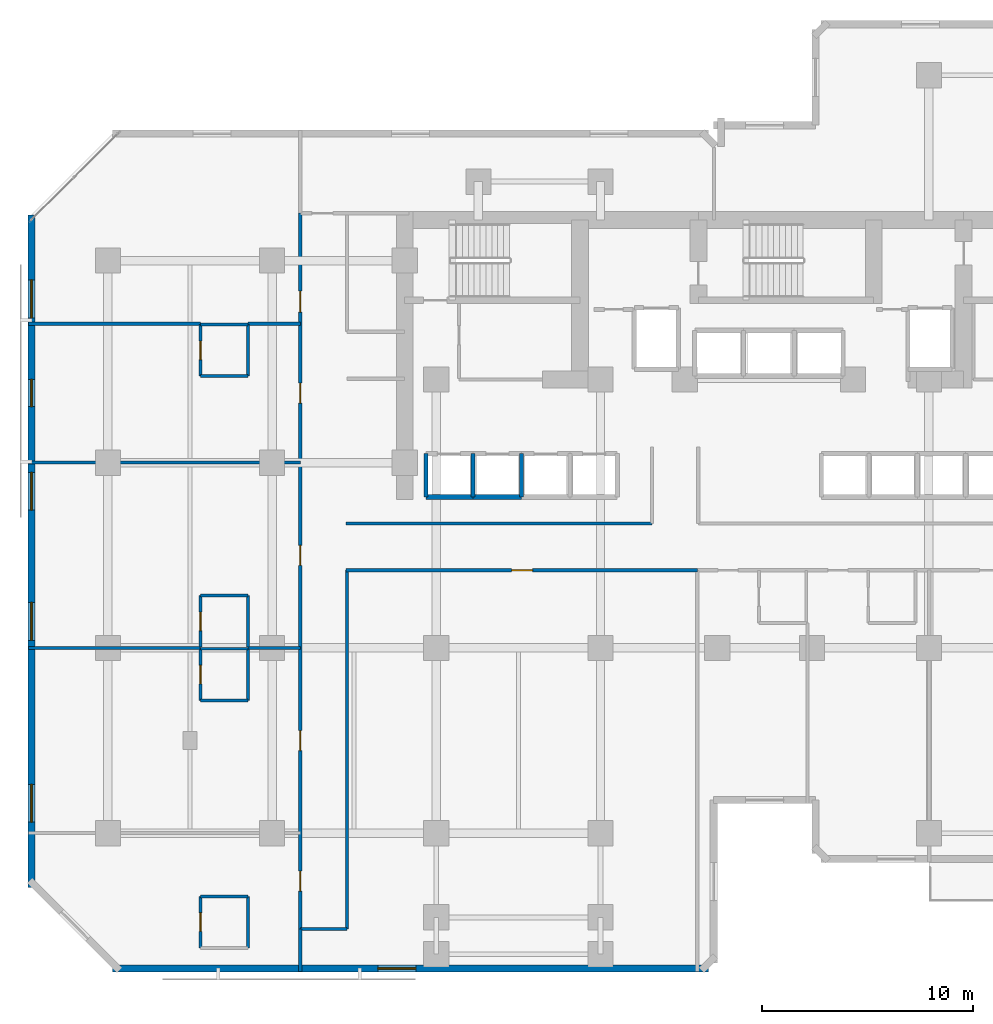
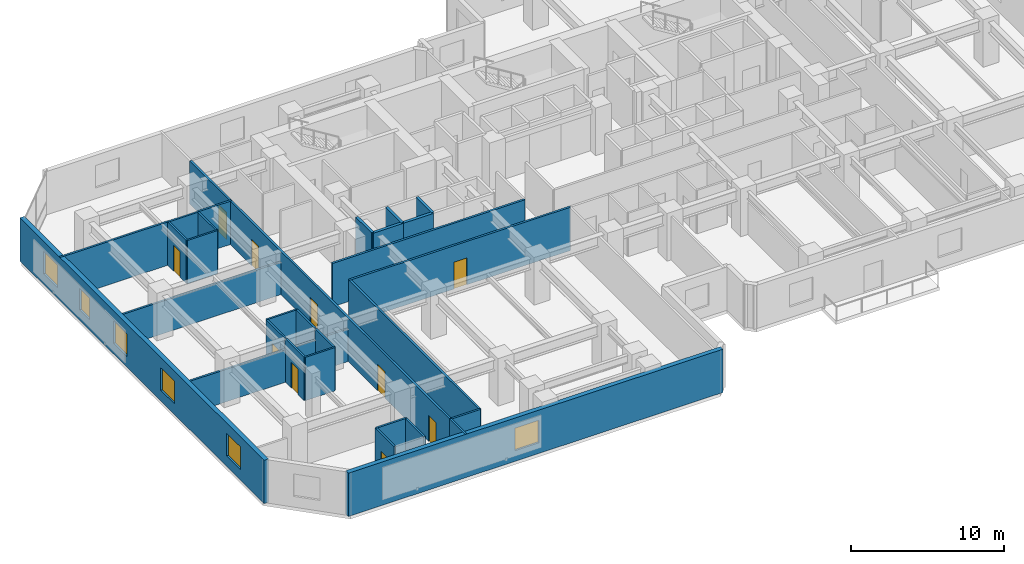
# One storey, part 5 of 11: 32 walls, 10 doors, 6 windows, 16 openings.
"""IFC4 building model written with IfcOpenShell, lengths in metres."""

from ifc_helpers import new_model, si_unit, direction, frame, frame_2d, origin, place, context, subcontext, project, spatial, rectangle, extrude, material, layer, layer_set, type_object, element, fill, save


model = new_model("IFC4")

# Units and contexts
model_context = context("Model", 3, precision=1e-05, world=origin(), true_north=direction((0.0, 1.0)))
body_context = subcontext(model_context, "Body", "Model", "MODEL_VIEW")
ifc_project = project(units=[si_unit("LENGTHUNIT", "METRE"), si_unit("AREAUNIT", "SQUARE_METRE"), si_unit("VOLUMEUNIT", "CUBIC_METRE"), si_unit("PLANEANGLEUNIT", "RADIAN"), si_unit("MASSUNIT", "GRAM", prefix="KILO")], contexts=[model_context])

# Site, building, storey
site_placement = place(None, origin())
site = spatial("IfcSite", under=ifc_project, at=site_placement, CompositionType="ELEMENT")
building_placement = place(site_placement, origin())
building = spatial("IfcBuilding", under=site, at=building_placement, Name="Kestravale Grand Hotel", CompositionType="ELEMENT")
storey_placement = place(building_placement, frame((0.0, 0.0, 126.0)))
storey = spatial("IfcBuildingStorey", under=building, at=storey_placement, Name="L31", CompositionType="ELEMENT", Elevation=126.0)

# Wall, opening, window
ifc_material_1 = material(Name="Precast concrete f'c 45 MPa", Category="concrete")
ifc_layer_1 = layer(ifc_material_1, 0.340087890625)
ifc_layer_set_1 = layer_set([ifc_layer_1], Name="EW-PREC-340")
wall_type_1 = type_object("IfcWallType", Name="EW-PREC-340", PredefinedType="SOLIDWALL", material=ifc_layer_set_1)
wall_1_placement = place(storey_placement, frame((8.030029296875, 4.77001953125, 0.0), z_axis=(0.0, 0.0, 1.0), x_axis=(1.0, 0.0, 0.0)))
wall_1 = element("IfcWall", 1, at=wall_1_placement, inside=storey, type_object=wall_type_1, Name="L31 fluted precast facade wall 1", PredefinedType="SOLIDWALL", context=body_context, shape_type="SweptSolid", body=[
    extrude(rectangle(XDim=28.2900390625, YDim=0.340087890625, at=frame_2d((14.14501953125, 0.0))), origin(), (0.0, 0.0, 1.0), 3.4599609375),
])
opening_1_placement = place(wall_1_placement, frame((12.594970703125, 0.0, 0.85009765625)))
opening_1 = element("IfcOpeningElement", 2, at=opening_1_placement, cuts=wall_1, Name="Opening W-GUEST-1800", PredefinedType="OPENING", context=body_context, shape_type="SweptSolid", body=[
    extrude(rectangle(XDim=1.800048828125, YDim=1.800048828125, at=frame_2d((0.89990234375, 0.89990234375))), frame((0.0, 0.179931640625, 0.0), z_axis=(0.0, -1.0, 0.0), x_axis=(1.0, 0.0, 0.0)), (0.0, 0.0, 1.0), 0.360107421875),
])
ifc_material_2 = material(Name="Insulated low-E double glazing in aluminium frame", Category="aluminium")
window_type_1 = type_object("IfcWindowType", Name="W-GUEST-1800", PartitioningType="DOUBLE_PANEL_VERTICAL", PredefinedType="WINDOW", material=ifc_material_2)
window_1_placement = place(opening_1_placement, origin())
window_1 = element("IfcWindow", 3, at=window_1_placement, inside=storey, type_object=window_type_1, Name="L31 exterior window 1.1", OverallHeight=1.800048828125, OverallWidth=1.800048828125, PartitioningType="SINGLE_PANEL", PredefinedType="WINDOW", context=body_context, shape_type="SweptSolid", body=[
    extrude(rectangle(XDim=1.800048828125, YDim=1.800048828125, at=frame_2d((0.89990234375, 0.89990234375))), frame((0.0, 0.030029296875, 0.0), z_axis=(0.0, -1.0, 0.0), x_axis=(1.0, 0.0, 0.0)), (0.0, 0.0, 1.0), 0.06005859375),
])
fill(opening_1, window_1)

# Wall, openings, windows
wall_2_placement = place(storey_placement, frame((4.169921875, 40.570068359375, 0.0), z_axis=(0.0, 0.0, 1.0), x_axis=(0.0, -1.0, 0.0)))
wall_2 = element("IfcWall", 4, at=wall_2_placement, inside=storey, type_object=wall_type_1, Name="L31 fluted precast facade wall 19", PredefinedType="SOLIDWALL", context=body_context, shape_type="SweptSolid", body=[
    extrude(rectangle(XDim=31.940185546875, YDim=0.340087890625, at=frame_2d((15.97021484375, 0.0))), origin(), (0.0, 0.0, 1.0), 3.4599609375),
])
opening_2_placement = place(wall_2_placement, frame((3.092529296875, 0.0, 0.85009765625)))
opening_2 = element("IfcOpeningElement", 5, at=opening_2_placement, cuts=wall_2, Name="Opening W-GUEST-1800", PredefinedType="OPENING", context=body_context, shape_type="SweptSolid", body=[
    extrude(rectangle(XDim=1.800048828125, YDim=1.800048828125, at=frame_2d((0.89990234375, 0.89990234375))), frame((0.0, 0.179931640625, 0.0), z_axis=(0.0, -1.0, 0.0), x_axis=(1.0, 0.0, 0.0)), (0.0, 0.0, 1.0), 0.360107421875),
])
opening_3_placement = place(wall_2_placement, frame((12.2275390625, 0.0, 0.85009765625)))
opening_3 = element("IfcOpeningElement", 6, at=opening_3_placement, cuts=wall_2, Name="Opening W-GUEST-1800", PredefinedType="OPENING", context=body_context, shape_type="SweptSolid", body=[
    extrude(rectangle(XDim=1.800048828125, YDim=1.800048828125, at=frame_2d((0.89990234375, 0.89990234375))), frame((0.0, 0.179931640625, 0.0), z_axis=(0.0, -1.0, 0.0), x_axis=(1.0, 0.0, 0.0)), (0.0, 0.0, 1.0), 0.360107421875),
])
opening_4_placement = place(wall_2_placement, frame((18.41259765625, 0.0, 0.85009765625)))
opening_4 = element("IfcOpeningElement", 7, at=opening_4_placement, cuts=wall_2, Name="Opening W-GUEST-1800", PredefinedType="OPENING", context=body_context, shape_type="SweptSolid", body=[
    extrude(rectangle(XDim=1.800048828125, YDim=1.800048828125, at=frame_2d((0.89990234375, 0.89990234375))), frame((0.0, 0.179931640625, 0.0), z_axis=(0.0, -1.0, 0.0), x_axis=(1.0, 0.0, 0.0)), (0.0, 0.0, 1.0), 0.360107421875),
])
opening_5_placement = place(wall_2_placement, frame((27.047607421875, 0.0, 0.85009765625)))
opening_5 = element("IfcOpeningElement", 8, at=opening_5_placement, cuts=wall_2, Name="Opening W-GUEST-1800", PredefinedType="OPENING", context=body_context, shape_type="SweptSolid", body=[
    extrude(rectangle(XDim=1.800048828125, YDim=1.800048828125, at=frame_2d((0.89990234375, 0.89990234375))), frame((0.0, 0.179931640625, 0.0), z_axis=(0.0, -1.0, 0.0), x_axis=(1.0, 0.0, 0.0)), (0.0, 0.0, 1.0), 0.360107421875),
])
opening_6_placement = place(wall_2_placement, frame((7.81005859375, 0.0, 0.85009765625)))
opening_6 = element("IfcOpeningElement", 9, at=opening_6_placement, cuts=wall_2, Name="Opening W-GUEST-1300", PredefinedType="OPENING", context=body_context, shape_type="SweptSolid", body=[
    extrude(rectangle(XDim=1.300048828125, YDim=1.699951171875, at=frame_2d((0.64990234375, 0.85009765625))), frame((0.0, 0.179931640625, 0.0), z_axis=(0.0, -1.0, 0.0), x_axis=(1.0, 0.0, 0.0)), (0.0, 0.0, 1.0), 0.360107421875),
])
ifc_material_3 = material(Name="Insulated low-E double glazing in aluminium frame", Category="aluminium")
window_type_2 = type_object("IfcWindowType", Name="W-GUEST-1300", PartitioningType="SINGLE_PANEL", PredefinedType="WINDOW", material=ifc_material_3)
window_2_placement = place(opening_6_placement, origin())
window_2 = element("IfcWindow", 10, at=window_2_placement, inside=storey, type_object=window_type_2, Name="L31 guestroom envelope window 1", OverallHeight=1.699951171875, OverallWidth=1.300048828125, PartitioningType="SINGLE_PANEL", PredefinedType="WINDOW", context=body_context, shape_type="SweptSolid", body=[
    extrude(rectangle(XDim=1.300048828125, YDim=1.699951171875, at=frame_2d((0.64990234375, 0.85009765625))), frame((0.0, 0.030029296875, 0.0), z_axis=(0.0, -1.0, 0.0), x_axis=(1.0, 0.0, 0.0)), (0.0, 0.0, 1.0), 0.06005859375),
])
fill(opening_6, window_2)
window_3_placement = place(opening_2_placement, origin())
window_3 = element("IfcWindow", 11, at=window_3_placement, inside=storey, type_object=window_type_1, Name="L31 exterior window 19.1", OverallHeight=1.800048828125, OverallWidth=1.800048828125, PartitioningType="SINGLE_PANEL", PredefinedType="WINDOW", context=body_context, shape_type="SweptSolid", body=[
    extrude(rectangle(XDim=1.800048828125, YDim=1.800048828125, at=frame_2d((0.89990234375, 0.89990234375))), frame((0.0, 0.030029296875, 0.0), z_axis=(0.0, -1.0, 0.0), x_axis=(1.0, 0.0, 0.0)), (0.0, 0.0, 1.0), 0.06005859375),
])
fill(opening_2, window_3)
window_4_placement = place(opening_3_placement, origin())
window_4 = element("IfcWindow", 12, at=window_4_placement, inside=storey, type_object=window_type_1, Name="L31 exterior window 19.2", OverallHeight=1.800048828125, OverallWidth=1.800048828125, PartitioningType="SINGLE_PANEL", PredefinedType="WINDOW", context=body_context, shape_type="SweptSolid", body=[
    extrude(rectangle(XDim=1.800048828125, YDim=1.800048828125, at=frame_2d((0.89990234375, 0.89990234375))), frame((0.0, 0.030029296875, 0.0), z_axis=(0.0, -1.0, 0.0), x_axis=(1.0, 0.0, 0.0)), (0.0, 0.0, 1.0), 0.06005859375),
])
fill(opening_3, window_4)
window_5_placement = place(opening_4_placement, origin())
window_5 = element("IfcWindow", 13, at=window_5_placement, inside=storey, type_object=window_type_1, Name="L31 exterior window 19.3", OverallHeight=1.800048828125, OverallWidth=1.800048828125, PartitioningType="SINGLE_PANEL", PredefinedType="WINDOW", context=body_context, shape_type="SweptSolid", body=[
    extrude(rectangle(XDim=1.800048828125, YDim=1.800048828125, at=frame_2d((0.89990234375, 0.89990234375))), frame((0.0, 0.030029296875, 0.0), z_axis=(0.0, -1.0, 0.0), x_axis=(1.0, 0.0, 0.0)), (0.0, 0.0, 1.0), 0.06005859375),
])
fill(opening_4, window_5)
window_6_placement = place(opening_5_placement, origin())
window_6 = element("IfcWindow", 14, at=window_6_placement, inside=storey, type_object=window_type_1, Name="L31 exterior window 19.4", OverallHeight=1.800048828125, OverallWidth=1.800048828125, PartitioningType="SINGLE_PANEL", PredefinedType="WINDOW", context=body_context, shape_type="SweptSolid", body=[
    extrude(rectangle(XDim=1.800048828125, YDim=1.800048828125, at=frame_2d((0.89990234375, 0.89990234375))), frame((0.0, 0.030029296875, 0.0), z_axis=(0.0, -1.0, 0.0), x_axis=(1.0, 0.0, 0.0)), (0.0, 0.0, 1.0), 0.06005859375),
])
fill(opening_5, window_6)

# Wall
ifc_material_4 = material(Name="Acoustic fire-rated gypsum board partition", Category="other")
ifc_layer_2 = layer(ifc_material_4, 0.159912109375)
ifc_layer_set_2 = layer_set([ifc_layer_2], Name="IW-CORR-160")
wall_type_2 = type_object("IfcWallType", Name="IW-CORR-160", PredefinedType="PARTITIONING", material=ifc_layer_set_2)
wall_3_placement = place(storey_placement, frame((19.10009765625, 25.909912109375, 0.0), z_axis=(0.0, 0.0, 1.0), x_axis=(1.0, 0.0, 0.0)))
element("IfcWall", 15, at=wall_3_placement, inside=storey, type_object=wall_type_2, Name="W-L31-CW-N", PredefinedType="PARTITIONING", context=body_context, shape_type="SweptSolid", body=[
    extrude(rectangle(XDim=14.5498046875, YDim=0.159912109375, at=frame_2d((7.27490234375, 0.0))), origin(), (0.0, 0.0, 1.0), 3.4599609375),
])

# Wall, opening, door
wall_4_placement = place(storey_placement, frame((19.10009765625, 23.68994140625, 0.0), z_axis=(0.0, 0.0, 1.0), x_axis=(1.0, 0.0, 0.0)))
wall_4 = element("IfcWall", 16, at=wall_4_placement, inside=storey, type_object=wall_type_2, Name="W-L31-CW-S", PredefinedType="PARTITIONING", context=body_context, shape_type="SweptSolid", body=[
    extrude(rectangle(XDim=16.699951171875, YDim=0.159912109375, at=frame_2d((8.35009765625, 0.0))), origin(), (0.0, 0.0, 1.0), 3.4599609375),
])
opening_7_placement = place(wall_4_placement, frame((7.8798828125, 0.0, 0.0)))
opening_7 = element("IfcOpeningElement", 17, at=opening_7_placement, cuts=wall_4, Name="Opening D-GUEST-1000", PredefinedType="OPENING", context=body_context, shape_type="SweptSolid", body=[
    extrude(rectangle(XDim=1.0, YDim=2.14990234375, at=frame_2d((0.5, 1.074951171875))), frame((0.0, 0.08984375, 0.0), z_axis=(0.0, -1.0, 0.0), x_axis=(1.0, 0.0, 0.0)), (0.0, 0.0, 1.0), 0.179931640625),
])
ifc_material_5 = material(Name="Accessible walnut veneer hotel entrance fire door", Category="wood")
door_type_1 = type_object("IfcDoorType", Name="D-GUEST-1000", OperationType="NOTDEFINED", PredefinedType="DOOR", material=ifc_material_5)
door_1_placement = place(opening_7_placement, origin())
door_1 = element("IfcDoor", 18, at=door_1_placement, inside=storey, type_object=door_type_1, Name="D-L31-AMW", OperationType="SINGLE_SWING_RIGHT", OverallHeight=2.14990234375, OverallWidth=1.0, PredefinedType="DOOR", context=body_context, shape_type="SweptSolid", body=[
    extrude(rectangle(XDim=1.0, YDim=2.14990234375, at=frame_2d((0.5, 1.074951171875))), frame((0.0, 0.02490234375, 0.0), z_axis=(0.0, -1.0, 0.0), x_axis=(1.0, 0.0, 0.0)), (0.0, 0.0, 1.0), 0.050048828125),
])
fill(opening_7, door_1)

# Wall, openings, doors
wall_5_placement = place(storey_placement, frame((16.93994140625, 6.64990234375, 0.0), z_axis=(0.0, 0.0, 1.0), x_axis=(0.0, 1.0, 0.0)))
wall_5 = element("IfcWall", 19, at=wall_5_placement, inside=storey, type_object=wall_type_2, Name="W-L31-SW-W", PredefinedType="PARTITIONING", context=body_context, shape_type="SweptSolid", body=[
    extrude(rectangle(XDim=34.0, YDim=0.159912109375, at=frame_2d((17.0, 0.0))), origin(), (0.0, 0.0, 1.0), 3.4599609375),
])
opening_8_placement = place(wall_5_placement, frame((1.800048828125, 0.0, 0.0)))
opening_8 = element("IfcOpeningElement", 20, at=opening_8_placement, cuts=wall_5, Name="Opening D-GUEST-950", PredefinedType="OPENING", context=body_context, shape_type="SweptSolid", body=[
    extrude(rectangle(XDim=0.949951171875, YDim=2.10009765625, at=frame_2d((0.47509765625, 1.050048828125))), frame((0.0, 0.08984375, 0.0), z_axis=(0.0, -1.0, 0.0), x_axis=(1.0, 0.0, 0.0)), (0.0, 0.0, 1.0), 0.179931640625),
])
opening_9_placement = place(wall_5_placement, frame((8.47509765625, 0.0, 0.0)))
opening_9 = element("IfcOpeningElement", 21, at=opening_9_placement, cuts=wall_5, Name="Opening D-GUEST-950", PredefinedType="OPENING", context=body_context, shape_type="SweptSolid", body=[
    extrude(rectangle(XDim=0.949951171875, YDim=2.10009765625, at=frame_2d((0.47509765625, 1.050048828125))), frame((0.0, 0.08984375, 0.0), z_axis=(0.0, -1.0, 0.0), x_axis=(1.0, 0.0, 0.0)), (0.0, 0.0, 1.0), 0.179931640625),
])
opening_10_placement = place(wall_5_placement, frame((17.27490234375, 0.0, 0.0)))
opening_10 = element("IfcOpeningElement", 22, at=opening_10_placement, cuts=wall_5, Name="Opening D-GUEST-950", PredefinedType="OPENING", context=body_context, shape_type="SweptSolid", body=[
    extrude(rectangle(XDim=0.949951171875, YDim=2.10009765625, at=frame_2d((0.47509765625, 1.050048828125))), frame((0.0, 0.08984375, 0.0), z_axis=(0.0, -1.0, 0.0), x_axis=(1.0, 0.0, 0.0)), (0.0, 0.0, 1.0), 0.179931640625),
])
opening_11_placement = place(wall_5_placement, frame((24.97509765625, 0.0, 0.0)))
opening_11 = element("IfcOpeningElement", 23, at=opening_11_placement, cuts=wall_5, Name="Opening D-GUEST-950", PredefinedType="OPENING", context=body_context, shape_type="SweptSolid", body=[
    extrude(rectangle(XDim=0.949951171875, YDim=2.10009765625, at=frame_2d((0.47509765625, 1.050048828125))), frame((0.0, 0.08984375, 0.0), z_axis=(0.0, -1.0, 0.0), x_axis=(1.0, 0.0, 0.0)), (0.0, 0.0, 1.0), 0.179931640625),
])
opening_12_placement = place(wall_5_placement, frame((29.300048828125, 0.0, 0.0)))
opening_12 = element("IfcOpeningElement", 24, at=opening_12_placement, cuts=wall_5, Name="Opening D-GUEST-1000", PredefinedType="OPENING", context=body_context, shape_type="SweptSolid", body=[
    extrude(rectangle(XDim=1.0, YDim=2.14990234375, at=frame_2d((0.5, 1.074951171875))), frame((0.0, 0.08984375, 0.0), z_axis=(0.0, -1.0, 0.0), x_axis=(1.0, 0.0, 0.0)), (0.0, 0.0, 1.0), 0.179931640625),
])
door_2_placement = place(opening_12_placement, origin())
door_2 = element("IfcDoor", 25, at=door_2_placement, inside=storey, type_object=door_type_1, Name="D-L31-AMWW", OperationType="SINGLE_SWING_RIGHT", OverallHeight=2.14990234375, OverallWidth=1.0, PredefinedType="DOOR", context=body_context, shape_type="SweptSolid", body=[
    extrude(rectangle(XDim=1.0, YDim=2.14990234375, at=frame_2d((0.5, 1.074951171875))), frame((0.0, 0.02490234375, 0.0), z_axis=(0.0, -1.0, 0.0), x_axis=(1.0, 0.0, 0.0)), (0.0, 0.0, 1.0), 0.050048828125),
])
fill(opening_12, door_2)
ifc_material_6 = material(Name="Walnut veneer hotel guestroom entrance fire door", Category="wood")
door_type_2 = type_object("IfcDoorType", Name="D-GUEST-950", OperationType="NOTDEFINED", PredefinedType="DOOR", material=ifc_material_6)
door_3_placement = place(opening_8_placement, origin())
door_3 = element("IfcDoor", 26, at=door_3_placement, inside=storey, type_object=door_type_2, Name="D-L31-U04-ENT", OperationType="SINGLE_SWING_LEFT", OverallHeight=2.10009765625, OverallWidth=0.949951171875, PredefinedType="DOOR", context=body_context, shape_type="SweptSolid", body=[
    extrude(rectangle(XDim=0.949951171875, YDim=2.10009765625, at=frame_2d((0.47509765625, 1.050048828125))), frame((0.0, 0.02490234375, 0.0), z_axis=(0.0, -1.0, 0.0), x_axis=(1.0, 0.0, 0.0)), (0.0, 0.0, 1.0), 0.050048828125),
])
fill(opening_8, door_3)
door_4_placement = place(opening_9_placement, origin())
door_4 = element("IfcDoor", 27, at=door_4_placement, inside=storey, type_object=door_type_2, Name="D-L31-U05-ENT", OperationType="SINGLE_SWING_LEFT", OverallHeight=2.10009765625, OverallWidth=0.949951171875, PredefinedType="DOOR", context=body_context, shape_type="SweptSolid", body=[
    extrude(rectangle(XDim=0.949951171875, YDim=2.10009765625, at=frame_2d((0.47509765625, 1.050048828125))), frame((0.0, 0.02490234375, 0.0), z_axis=(0.0, -1.0, 0.0), x_axis=(1.0, 0.0, 0.0)), (0.0, 0.0, 1.0), 0.050048828125),
])
fill(opening_9, door_4)
door_5_placement = place(opening_10_placement, origin())
door_5 = element("IfcDoor", 28, at=door_5_placement, inside=storey, type_object=door_type_2, Name="D-L31-U06-ENT", OperationType="SINGLE_SWING_LEFT", OverallHeight=2.10009765625, OverallWidth=0.949951171875, PredefinedType="DOOR", context=body_context, shape_type="SweptSolid", body=[
    extrude(rectangle(XDim=0.949951171875, YDim=2.10009765625, at=frame_2d((0.47509765625, 1.050048828125))), frame((0.0, 0.02490234375, 0.0), z_axis=(0.0, -1.0, 0.0), x_axis=(1.0, 0.0, 0.0)), (0.0, 0.0, 1.0), 0.050048828125),
])
fill(opening_10, door_5)
door_6_placement = place(opening_11_placement, origin())
door_6 = element("IfcDoor", 29, at=door_6_placement, inside=storey, type_object=door_type_2, Name="D-L31-U07-ENT", OperationType="SINGLE_SWING_LEFT", OverallHeight=2.10009765625, OverallWidth=0.949951171875, PredefinedType="DOOR", context=body_context, shape_type="SweptSolid", body=[
    extrude(rectangle(XDim=0.949951171875, YDim=2.10009765625, at=frame_2d((0.47509765625, 1.050048828125))), frame((0.0, 0.02490234375, 0.0), z_axis=(0.0, -1.0, 0.0), x_axis=(1.0, 0.0, 0.0)), (0.0, 0.0, 1.0), 0.050048828125),
])
fill(opening_11, door_6)

# Wall
wall_6_placement = place(storey_placement, frame((19.159912109375, 6.64990234375, 0.0), z_axis=(0.0, 0.0, 1.0), x_axis=(0.0, 1.0, 0.0)))
element("IfcWall", 30, at=wall_6_placement, inside=storey, type_object=wall_type_2, Name="W-L31-SW-E", PredefinedType="PARTITIONING", context=body_context, shape_type="SweptSolid", body=[
    extrude(rectangle(XDim=17.0400390625, YDim=0.159912109375, at=frame_2d((8.52001953125, 0.0))), origin(), (0.0, 0.0, 1.0), 3.4599609375),
])

# Wall, opening, door
ifc_material_7 = material(Name="Moisture-resistant tile-backer plumbing chase wall", Category="other")
ifc_layer_3 = layer(ifc_material_7, 0.139892578125)
ifc_layer_set_3 = layer_set([ifc_layer_3], Name="IW-PLB-140")
wall_type_3 = type_object("IfcWallType", Name="IW-PLB-140", PredefinedType="PLUMBINGWALL", material=ifc_layer_set_3)
wall_7_placement = place(storey_placement, frame((12.199951171875, 5.75, 0.0), z_axis=(0.0, 0.0, 1.0), x_axis=(0.0, 1.0, 0.0)))
wall_7 = element("IfcWall", 31, at=wall_7_placement, inside=storey, type_object=wall_type_3, Name="W-L31-U04-BW", PredefinedType="PLUMBINGWALL", context=body_context, shape_type="SweptSolid", body=[
    extrude(rectangle(XDim=2.449951171875, YDim=0.139892578125, at=frame_2d((1.22509765625, 0.0))), origin(), (0.0, 0.0, 1.0), 3.4599609375),
])
opening_13_placement = place(wall_7_placement, frame((0.784912109375, 0.0, 0.0)))
opening_13 = element("IfcOpeningElement", 32, at=opening_13_placement, cuts=wall_7, Name="Opening D-BATH-880", PredefinedType="OPENING", context=body_context, shape_type="SweptSolid", body=[
    extrude(rectangle(XDim=0.8798828125, YDim=2.050048828125, at=frame_2d((0.43994140625, 1.02490234375))), frame((0.0, 0.079833984375, 0.0), z_axis=(0.0, -1.0, 0.0), x_axis=(1.0, 0.0, 0.0)), (0.0, 0.0, 1.0), 0.159912109375),
])
ifc_material_8 = material(Name="Moisture-sealed walnut en-suite bathroom door", Category="wood")
door_type_3 = type_object("IfcDoorType", Name="D-BATH-880", OperationType="NOTDEFINED", PredefinedType="DOOR", material=ifc_material_8)
door_7_placement = place(opening_13_placement, origin())
door_7 = element("IfcDoor", 33, at=door_7_placement, inside=storey, type_object=door_type_3, Name="D-L31-U04-BATH", OperationType="SINGLE_SWING_RIGHT", OverallHeight=2.050048828125, OverallWidth=0.8798828125, PredefinedType="DOOR", context=body_context, shape_type="SweptSolid", body=[
    extrude(rectangle(XDim=0.8798828125, YDim=2.050048828125, at=frame_2d((0.43994140625, 1.02490234375))), frame((0.0, 0.02490234375, 0.0), z_axis=(0.0, -1.0, 0.0), x_axis=(1.0, 0.0, 0.0)), (0.0, 0.0, 1.0), 0.050048828125),
])
fill(opening_13, door_7)

# Walls
wall_8_placement = place(storey_placement, frame((14.449951171875, 5.75, 0.0), z_axis=(0.0, 0.0, 1.0), x_axis=(0.0, 1.0, 0.0)))
element("IfcWall", 34, at=wall_8_placement, inside=storey, type_object=wall_type_3, Name="W-L31-U04-BE", PredefinedType="PLUMBINGWALL", context=body_context, shape_type="SweptSolid", body=[
    extrude(rectangle(XDim=2.449951171875, YDim=0.139892578125, at=frame_2d((1.22509765625, 0.0))), origin(), (0.0, 0.0, 1.0), 3.4599609375),
])
wall_9_placement = place(storey_placement, frame((12.199951171875, 8.199951171875, 0.0), z_axis=(0.0, 0.0, 1.0), x_axis=(1.0, 0.0, 0.0)))
element("IfcWall", 35, at=wall_9_placement, inside=storey, type_object=wall_type_3, Name="W-L31-U04-BN", PredefinedType="PLUMBINGWALL", context=body_context, shape_type="SweptSolid", body=[
    extrude(rectangle(XDim=2.25, YDim=0.139892578125, at=frame_2d((1.125, 0.0))), origin(), (0.0, 0.0, 1.0), 3.4599609375),
])

# Wall, opening, door
wall_10_placement = place(storey_placement, frame((12.199951171875, 17.510009765625, 0.0), z_axis=(0.0, 0.0, 1.0), x_axis=(0.0, 1.0, 0.0)))
wall_10 = element("IfcWall", 36, at=wall_10_placement, inside=storey, type_object=wall_type_3, Name="W-L31-U05-BW", PredefinedType="PLUMBINGWALL", context=body_context, shape_type="SweptSolid", body=[
    extrude(rectangle(XDim=2.449951171875, YDim=0.139892578125, at=frame_2d((1.22509765625, 0.0))), origin(), (0.0, 0.0, 1.0), 3.4599609375),
])
opening_14_placement = place(wall_10_placement, frame((0.784912109375, 0.0, 0.0)))
opening_14 = element("IfcOpeningElement", 37, at=opening_14_placement, cuts=wall_10, Name="Opening D-BATH-880", PredefinedType="OPENING", context=body_context, shape_type="SweptSolid", body=[
    extrude(rectangle(XDim=0.8798828125, YDim=2.050048828125, at=frame_2d((0.43994140625, 1.02490234375))), frame((0.0, 0.079833984375, 0.0), z_axis=(0.0, -1.0, 0.0), x_axis=(1.0, 0.0, 0.0)), (0.0, 0.0, 1.0), 0.159912109375),
])
door_8_placement = place(opening_14_placement, origin())
door_8 = element("IfcDoor", 38, at=door_8_placement, inside=storey, type_object=door_type_3, Name="D-L31-U05-BATH", OperationType="SINGLE_SWING_RIGHT", OverallHeight=2.050048828125, OverallWidth=0.8798828125, PredefinedType="DOOR", context=body_context, shape_type="SweptSolid", body=[
    extrude(rectangle(XDim=0.8798828125, YDim=2.050048828125, at=frame_2d((0.43994140625, 1.02490234375))), frame((0.0, 0.02490234375, 0.0), z_axis=(0.0, -1.0, 0.0), x_axis=(1.0, 0.0, 0.0)), (0.0, 0.0, 1.0), 0.050048828125),
])
fill(opening_14, door_8)

# Walls
wall_11_placement = place(storey_placement, frame((14.449951171875, 17.510009765625, 0.0), z_axis=(0.0, 0.0, 1.0), x_axis=(0.0, 1.0, 0.0)))
element("IfcWall", 39, at=wall_11_placement, inside=storey, type_object=wall_type_3, Name="W-L31-U05-BE", PredefinedType="PLUMBINGWALL", context=body_context, shape_type="SweptSolid", body=[
    extrude(rectangle(XDim=2.449951171875, YDim=0.139892578125, at=frame_2d((1.22509765625, 0.0))), origin(), (0.0, 0.0, 1.0), 3.4599609375),
])
wall_12_placement = place(storey_placement, frame((12.199951171875, 17.510009765625, 0.0), z_axis=(0.0, 0.0, 1.0), x_axis=(1.0, 0.0, 0.0)))
element("IfcWall", 40, at=wall_12_placement, inside=storey, type_object=wall_type_3, Name="W-L31-U05-BS", PredefinedType="PLUMBINGWALL", context=body_context, shape_type="SweptSolid", body=[
    extrude(rectangle(XDim=2.25, YDim=0.139892578125, at=frame_2d((1.125, 0.0))), origin(), (0.0, 0.0, 1.0), 3.4599609375),
])
wall_13_placement = place(storey_placement, frame((12.199951171875, 19.9599609375, 0.0), z_axis=(0.0, 0.0, 1.0), x_axis=(1.0, 0.0, 0.0)))
element("IfcWall", 41, at=wall_13_placement, inside=storey, type_object=wall_type_3, Name="W-L31-U05-BN", PredefinedType="PLUMBINGWALL", context=body_context, shape_type="SweptSolid", body=[
    extrude(rectangle(XDim=2.25, YDim=0.139892578125, at=frame_2d((1.125, 0.0))), origin(), (0.0, 0.0, 1.0), 2.59912109375),
])

# Wall, opening, door
wall_14_placement = place(storey_placement, frame((12.199951171875, 20.0400390625, 0.0), z_axis=(0.0, 0.0, 1.0), x_axis=(0.0, 1.0, 0.0)))
wall_14 = element("IfcWall", 42, at=wall_14_placement, inside=storey, type_object=wall_type_3, Name="W-L31-U06-BW", PredefinedType="PLUMBINGWALL", context=body_context, shape_type="SweptSolid", body=[
    extrude(rectangle(XDim=2.449951171875, YDim=0.139892578125, at=frame_2d((1.22509765625, 0.0))), origin(), (0.0, 0.0, 1.0), 3.4599609375),
])
opening_15_placement = place(wall_14_placement, frame((0.784912109375, 0.0, 0.0)))
opening_15 = element("IfcOpeningElement", 43, at=opening_15_placement, cuts=wall_14, Name="Opening D-BATH-880", PredefinedType="OPENING", context=body_context, shape_type="SweptSolid", body=[
    extrude(rectangle(XDim=0.8798828125, YDim=2.050048828125, at=frame_2d((0.43994140625, 1.02490234375))), frame((0.0, 0.079833984375, 0.0), z_axis=(0.0, -1.0, 0.0), x_axis=(1.0, 0.0, 0.0)), (0.0, 0.0, 1.0), 0.159912109375),
])
door_9_placement = place(opening_15_placement, origin())
door_9 = element("IfcDoor", 44, at=door_9_placement, inside=storey, type_object=door_type_3, Name="D-L31-U06-BATH", OperationType="SINGLE_SWING_RIGHT", OverallHeight=2.050048828125, OverallWidth=0.8798828125, PredefinedType="DOOR", context=body_context, shape_type="SweptSolid", body=[
    extrude(rectangle(XDim=0.8798828125, YDim=2.050048828125, at=frame_2d((0.43994140625, 1.02490234375))), frame((0.0, 0.02490234375, 0.0), z_axis=(0.0, -1.0, 0.0), x_axis=(1.0, 0.0, 0.0)), (0.0, 0.0, 1.0), 0.050048828125),
])
fill(opening_15, door_9)

# Walls
wall_15_placement = place(storey_placement, frame((14.449951171875, 20.0400390625, 0.0), z_axis=(0.0, 0.0, 1.0), x_axis=(0.0, 1.0, 0.0)))
element("IfcWall", 45, at=wall_15_placement, inside=storey, type_object=wall_type_3, Name="W-L31-U06-BE", PredefinedType="PLUMBINGWALL", context=body_context, shape_type="SweptSolid", body=[
    extrude(rectangle(XDim=2.449951171875, YDim=0.139892578125, at=frame_2d((1.22509765625, 0.0))), origin(), (0.0, 0.0, 1.0), 3.4599609375),
])
wall_16_placement = place(storey_placement, frame((12.199951171875, 22.489990234375, 0.0), z_axis=(0.0, 0.0, 1.0), x_axis=(1.0, 0.0, 0.0)))
element("IfcWall", 46, at=wall_16_placement, inside=storey, type_object=wall_type_3, Name="W-L31-U06-BN", PredefinedType="PLUMBINGWALL", context=body_context, shape_type="SweptSolid", body=[
    extrude(rectangle(XDim=2.25, YDim=0.139892578125, at=frame_2d((1.125, 0.0))), origin(), (0.0, 0.0, 1.0), 3.4599609375),
])

# Wall, opening, door
wall_17_placement = place(storey_placement, frame((12.199951171875, 32.909912109375, 0.0), z_axis=(0.0, 0.0, 1.0), x_axis=(0.0, 1.0, 0.0)))
wall_17 = element("IfcWall", 47, at=wall_17_placement, inside=storey, type_object=wall_type_3, Name="W-L31-U07-BW", PredefinedType="PLUMBINGWALL", context=body_context, shape_type="SweptSolid", body=[
    extrude(rectangle(XDim=2.4501953125, YDim=0.139892578125, at=frame_2d((1.22509765625, 0.0))), origin(), (0.0, 0.0, 1.0), 3.4599609375),
])
opening_16_placement = place(wall_17_placement, frame((0.784912109375, 0.0, 0.0)))
opening_16 = element("IfcOpeningElement", 48, at=opening_16_placement, cuts=wall_17, Name="Opening D-BATH-880", PredefinedType="OPENING", context=body_context, shape_type="SweptSolid", body=[
    extrude(rectangle(XDim=0.8798828125, YDim=2.050048828125, at=frame_2d((0.43994140625, 1.02490234375))), frame((0.0, 0.079833984375, 0.0), z_axis=(0.0, -1.0, 0.0), x_axis=(1.0, 0.0, 0.0)), (0.0, 0.0, 1.0), 0.159912109375),
])
door_10_placement = place(opening_16_placement, origin())
door_10 = element("IfcDoor", 49, at=door_10_placement, inside=storey, type_object=door_type_3, Name="D-L31-U07-BATH", OperationType="SINGLE_SWING_RIGHT", OverallHeight=2.050048828125, OverallWidth=0.8798828125, PredefinedType="DOOR", context=body_context, shape_type="SweptSolid", body=[
    extrude(rectangle(XDim=0.8798828125, YDim=2.050048828125, at=frame_2d((0.43994140625, 1.02490234375))), frame((0.0, 0.02490234375, 0.0), z_axis=(0.0, -1.0, 0.0), x_axis=(1.0, 0.0, 0.0)), (0.0, 0.0, 1.0), 0.050048828125),
])
fill(opening_16, door_10)

# Walls
wall_18_placement = place(storey_placement, frame((14.449951171875, 32.909912109375, 0.0), z_axis=(0.0, 0.0, 1.0), x_axis=(0.0, 1.0, 0.0)))
element("IfcWall", 50, at=wall_18_placement, inside=storey, type_object=wall_type_3, Name="W-L31-U07-BE", PredefinedType="PLUMBINGWALL", context=body_context, shape_type="SweptSolid", body=[
    extrude(rectangle(XDim=2.4501953125, YDim=0.139892578125, at=frame_2d((1.22509765625, 0.0))), origin(), (0.0, 0.0, 1.0), 3.4599609375),
])
for number, where, z_axis, x_axis, name in (
    (51, (12.199951171875, 32.909912109375, 0.0), (0.0, 0.0, 1.0), (1.0, 0.0, 0.0), "W-L31-U07-BS"),
    (52, (12.199951171875, 35.360107421875, 0.0), (0.0, 0.0, 1.0), (1.0, 0.0, 0.0), "W-L31-U07-BN"),
):
    element("IfcWall", number, at=place(storey_placement, frame(where, z_axis=z_axis, x_axis=x_axis)), inside=storey, type_object=wall_type_3, Name=name, PredefinedType="PLUMBINGWALL", context=body_context, shape_type="SweptSolid", body=[
        extrude(rectangle(XDim=2.25, YDim=0.139892578125, at=frame_2d((1.125, 0.0))), origin(), (0.0, 0.0, 1.0), 3.4599609375),
    ])
ifc_material_9 = material(Name="Concrete f'c 45 MPa", Category="concrete")
ifc_layer_4 = layer(ifc_material_9, 0.199951171875)
ifc_layer_set_4 = layer_set([ifc_layer_4], Name="IW-SHAFT-200")
wall_type_4 = type_object("IfcWallType", Name="IW-SHAFT-200", PredefinedType="SHEAR", material=ifc_layer_set_4)
for number, where, z_axis, x_axis, name in (
    (53, (22.905029296875, 27.169921875, 0.0), (0.0, 0.0, 1.0), (0.0, 1.0, 0.0), "L31 PL-L1 west shaft wall"),
    (54, (25.14990234375, 27.169921875, 0.0), (0.0, 0.0, 1.0), (0.0, 1.0, 0.0), "L31 PL-L2 west shaft wall"),
    (55, (27.449951171875, 27.169921875, 0.0), (0.0, 0.0, 1.0), (0.0, 1.0, 0.0), "L31 PL-L3 west shaft wall"),
):
    element("IfcWall", number, at=place(storey_placement, frame(where, z_axis=z_axis, x_axis=x_axis)), inside=storey, type_object=wall_type_4, Name=name, PredefinedType="SHEAR", context=body_context, shape_type="SweptSolid", body=[
        extrude(rectangle(XDim=2.06005859375, YDim=0.199951171875, at=frame_2d((1.030029296875, 0.0))), origin(), (0.0, 0.0, 1.0), 3.800048828125),
    ])
ifc_material_10 = material(Name="Concrete f'c 45 MPa", Category="concrete")
ifc_layer_5 = layer(ifc_material_10, 0.219970703125)
ifc_layer_set_5 = layer_set([ifc_layer_5], Name="IW-SHAFT-220")
wall_type_5 = type_object("IfcWallType", Name="IW-SHAFT-220", PredefinedType="SHEAR", material=ifc_layer_set_5)
wall_19_placement = place(storey_placement, frame((22.905029296875, 27.169921875, 0.0), z_axis=(0.0, 0.0, 1.0), x_axis=(1.0, 0.0, 0.0)))
element("IfcWall", 56, at=wall_19_placement, inside=storey, type_object=wall_type_5, Name="L31 PL-L1 south shaft wall", PredefinedType="SHEAR", context=body_context, shape_type="SweptSolid", body=[
    extrude(rectangle(XDim=2.244873046875, YDim=0.219970703125, at=frame_2d((1.12255859375, 0.0))), origin(), (0.0, 0.0, 1.0), 3.800048828125),
])
wall_20_placement = place(storey_placement, frame((25.14990234375, 27.169921875, 0.0), z_axis=(0.0, 0.0, 1.0), x_axis=(1.0, 0.0, 0.0)))
element("IfcWall", 57, at=wall_20_placement, inside=storey, type_object=wall_type_5, Name="L31 PL-L2 south shaft wall", PredefinedType="SHEAR", context=body_context, shape_type="SweptSolid", body=[
    extrude(rectangle(XDim=2.300048828125, YDim=0.219970703125, at=frame_2d((1.14990234375, 0.0))), origin(), (0.0, 0.0, 1.0), 3.800048828125),
])
ifc_material_11 = material(Name="Double-stud STC 52 acoustic demising partition", Category="other")
ifc_layer_6 = layer(ifc_material_11, 0.14990234375)
ifc_layer_set_6 = layer_set([ifc_layer_6], Name="IW-UNIT-150")
wall_type_6 = type_object("IfcWallType", Name="IW-UNIT-150", PredefinedType="PARTITIONING", material=ifc_layer_set_6)
wall_21_placement = place(storey_placement, frame((16.93994140625, 6.64990234375, 0.0), z_axis=(0.0, 0.0, 1.0), x_axis=(1.0, 0.0, 0.0)))
element("IfcWall", 58, at=wall_21_placement, inside=storey, type_object=wall_type_6, Name="W-L31-SW-S", PredefinedType="PARTITIONING", context=body_context, shape_type="SweptSolid", body=[
    extrude(rectangle(XDim=2.219970703125, YDim=0.14990234375, at=frame_2d((1.10986328125, 0.0))), origin(), (0.0, 0.0, 1.0), 3.4599609375),
])
wall_22_placement = place(storey_placement, frame((16.93994140625, 4.6201171875, 0.0), z_axis=(0.0, 0.0, 1.0), x_axis=(0.0, 1.0, 0.0)))
element("IfcWall", 59, at=wall_22_placement, inside=storey, type_object=wall_type_6, Name="W-L31-SW-EXT", PredefinedType="PARTITIONING", context=body_context, shape_type="SweptSolid", body=[
    extrude(rectangle(XDim=2.02978515625, YDim=0.14990234375, at=frame_2d((1.014892578125, 0.0))), origin(), (0.0, 0.0, 1.0), 3.4599609375),
])
wall_23_placement = place(storey_placement, frame((4.02001953125, 20.0, 0.0), z_axis=(0.0, 0.0, 1.0), x_axis=(1.0, 0.0, 0.0)))
element("IfcWall", 60, at=wall_23_placement, inside=storey, type_object=wall_type_6, Name="W-L31-WW-2", PredefinedType="PARTITIONING", context=body_context, shape_type="SweptSolid", body=[
    extrude(rectangle(XDim=8.179931640625, YDim=0.14990234375, at=frame_2d((4.08984375, 0.0))), origin(), (0.0, 0.0, 1.0), 2.59912109375),
])
wall_24_placement = place(storey_placement, frame((14.449951171875, 20.0, 0.0), z_axis=(0.0, 0.0, 1.0), x_axis=(1.0, 0.0, 0.0)))
element("IfcWall", 61, at=wall_24_placement, inside=storey, type_object=wall_type_6, Name="W-L31-WW-2", PredefinedType="PARTITIONING", context=body_context, shape_type="SweptSolid", body=[
    extrude(rectangle(XDim=2.489990234375, YDim=0.14990234375, at=frame_2d((1.2451171875, 0.0))), origin(), (0.0, 0.0, 1.0), 2.59912109375),
])
wall_25_placement = place(storey_placement, frame((4.02001953125, 28.800048828125, 0.0), z_axis=(0.0, 0.0, 1.0), x_axis=(1.0, 0.0, 0.0)))
element("IfcWall", 62, at=wall_25_placement, inside=storey, type_object=wall_type_6, Name="W-L31-WW-3", PredefinedType="PARTITIONING", context=body_context, shape_type="SweptSolid", body=[
    extrude(rectangle(XDim=12.919921875, YDim=0.14990234375, at=frame_2d((6.4599609375, 0.0))), origin(), (0.0, 0.0, 1.0), 2.59912109375),
])
wall_26_placement = place(storey_placement, frame((4.02001953125, 35.39990234375, 0.0), z_axis=(0.0, 0.0, 1.0), x_axis=(1.0, 0.0, 0.0)))
element("IfcWall", 63, at=wall_26_placement, inside=storey, type_object=wall_type_6, Name="W-L31-WW-4", PredefinedType="PARTITIONING", context=body_context, shape_type="SweptSolid", body=[
    extrude(rectangle(XDim=8.179931640625, YDim=0.14990234375, at=frame_2d((4.08984375, 0.0))), origin(), (0.0, 0.0, 1.0), 3.4599609375),
])
wall_27_placement = place(storey_placement, frame((14.449951171875, 35.39990234375, 0.0), z_axis=(0.0, 0.0, 1.0), x_axis=(1.0, 0.0, 0.0)))
element("IfcWall", 64, at=wall_27_placement, inside=storey, type_object=wall_type_6, Name="W-L31-WW-4", PredefinedType="PARTITIONING", context=body_context, shape_type="SweptSolid", body=[
    extrude(rectangle(XDim=2.489990234375, YDim=0.14990234375, at=frame_2d((1.2451171875, 0.0))), origin(), (0.0, 0.0, 1.0), 3.4599609375),
])

save(model, "model.ifc")
